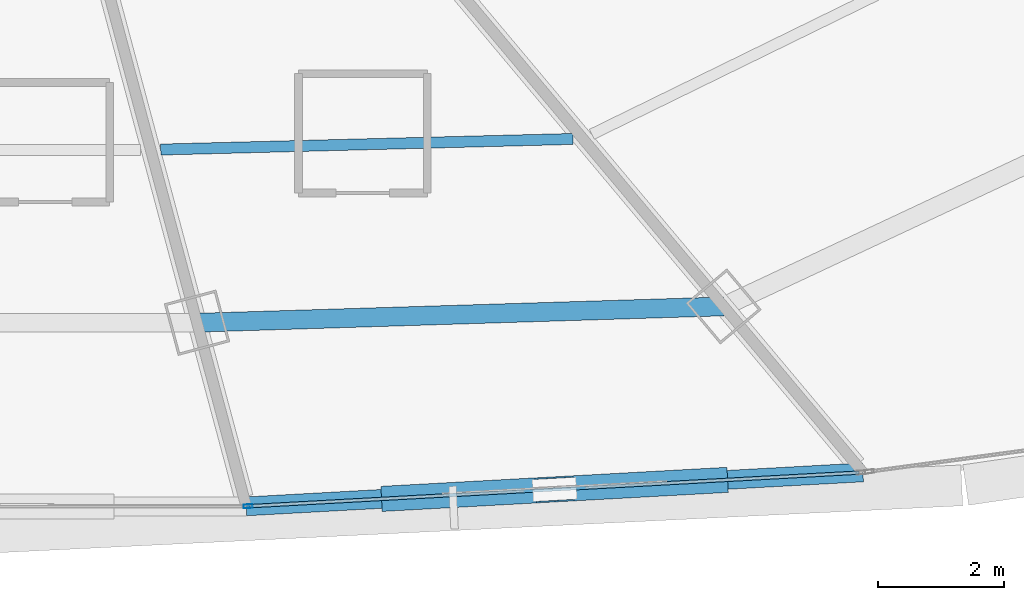
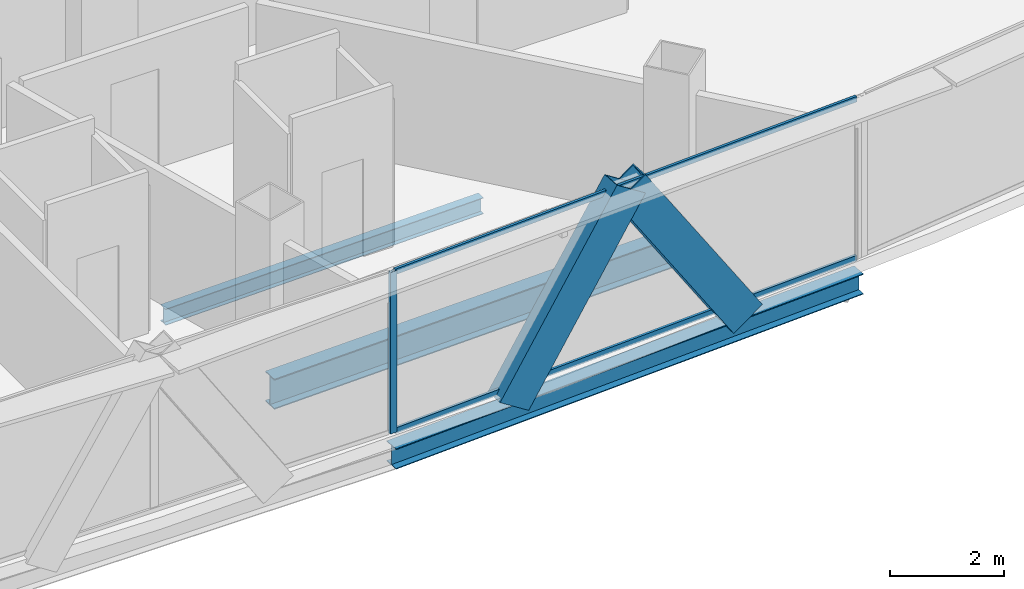
# One storey, part 10 of 34: 5 members, 3 beams, 1 element without a shape of its own.
"""IFC4 building model written with IfcOpenShell, lengths in metres."""

import ifcopenshell
import ifcopenshell.guid

model = None  # the IFC model being written
_history = None  # IfcOwnerHistory: only IFC2X3 demands one
_inside = {}  # id of a spatial element -> (the spatial element, [elements in it])
_under = {}  # id of a project, library or spatial element -> (it, [spatial elements below it])
_declared = {}  # id of a project -> (the project, [libraries it declares])
_typed = {}  # id of a type object -> (the type object, [elements of that type])
_made_of = {}  # id of a material, layer set ... -> (it, [elements and type objects made of it])


def new_model(schema):
    """Start an empty IFC model of exactly this schema.

    Asked for "IFC4X3", IfcOpenShell would pick the latest addendum, in which some entities
    have other attributes; the version numbers below select the first issue.
    IFC2X3 requires an IfcOwnerHistory on every rooted entity: one is made here for all.
    """
    global model, _history
    if schema == "IFC4X3":
        model = ifcopenshell.file(schema_version=(4, 3, 0, 0))
    else:
        model = ifcopenshell.file(schema=schema)
    _inside.clear()
    _under.clear()
    _declared.clear()
    _typed.clear()
    _made_of.clear()
    _history = None
    if model.schema == "IFC2X3":
        org = make("IfcOrganization", Name="unknown")
        user = make(
            "IfcPersonAndOrganization",
            ThePerson=make("IfcPerson", FamilyName="unknown"),
            TheOrganization=org,
        )
        app = make(
            "IfcApplication",
            ApplicationDeveloper=org,
            Version="unknown",
            ApplicationFullName="unknown",
            ApplicationIdentifier="unknown",
        )
        _history = make(
            "IfcOwnerHistory",
            OwningUser=user,
            OwningApplication=app,
            ChangeAction="ADDED",
            CreationDate=0,
        )
    return model


def make(cls, **values):
    """One entity of the class cls with the attributes given. An attribute that is None is left unset."""
    return model.create_entity(
        cls, **{name: value for name, value in values.items() if value is not None}
    )


def rooted(cls, **values):
    """An entity with a GlobalId (a new one), such as an element, a storey or a relation."""
    return make(cls, GlobalId=ifcopenshell.guid.new(), OwnerHistory=_history, **values)


def si_unit(unit_type, name, prefix=None):
    """IfcSIUnit, for example si_unit("LENGTHUNIT", "METRE", prefix="MILLI")."""
    return make("IfcSIUnit", UnitType=unit_type, Prefix=prefix, Name=name)


def assignment(units):
    """IfcUnitAssignment: the units of a project."""
    return None if units is None else make("IfcUnitAssignment", Units=units)


def point(xyz):
    """IfcCartesianPoint."""
    return None if xyz is None else make("IfcCartesianPoint", Coordinates=xyz)


def direction(xyz):
    """IfcDirection."""
    return None if xyz is None else make("IfcDirection", DirectionRatios=xyz)


def frame(location, z_axis=None, x_axis=None):
    """IfcAxis2Placement3D, a coordinate frame: its origin and axes. An axis left out is left unset."""
    return make(
        "IfcAxis2Placement3D",
        Location=point(location),
        Axis=direction(z_axis),
        RefDirection=direction(x_axis),
    )


def frame_2d(location, x_axis=None):
    """IfcAxis2Placement2D, a coordinate frame in the plane: its origin and x axis."""
    return make(
        "IfcAxis2Placement2D", Location=point(location), RefDirection=direction(x_axis)
    )


def origin():
    """The frame at (0, 0, 0) with its axes left unset."""
    return frame((0.0, 0.0, 0.0))


def origin_2d():
    """The frame at (0, 0) in the plane with its x axis left unset."""
    return frame_2d((0.0, 0.0))


def place(relative_to, where):
    """IfcLocalPlacement: puts the frame where relative to a parent placement (None: the world)."""
    return make(
        "IfcLocalPlacement", PlacementRelTo=relative_to, RelativePlacement=where
    )


def context(
    kind, dimensions, precision=None, world=None, true_north=None, identifier=None
):
    """IfcGeometricRepresentationContext, for example the 3D "Model" context."""
    return make(
        "IfcGeometricRepresentationContext",
        ContextIdentifier=identifier,
        ContextType=kind,
        CoordinateSpaceDimension=dimensions,
        Precision=precision,
        WorldCoordinateSystem=world,
        TrueNorth=true_north,
    )


def subcontext(parent, identifier, kind, view, scale=None):
    """IfcGeometricRepresentationSubContext, for example "Body" below "Model"."""
    return make(
        "IfcGeometricRepresentationSubContext",
        ContextIdentifier=identifier,
        ContextType=kind,
        ParentContext=parent,
        TargetScale=scale,
        TargetView=view,
    )


def project(units=None, contexts=None):
    """IfcProject with its units and contexts."""
    return rooted(
        "IfcProject",
        Name="project",
        RepresentationContexts=contexts,
        UnitsInContext=assignment(units),
    )


def spatial(cls, under=None, at=None, **own):
    """A site, building, storey or space (cls), placed at a placement, below another one or the project."""
    s = rooted(cls, ObjectPlacement=at, **own)
    if under is not None:
        _under.setdefault(under.id(), (under, []))[1].append(s)
    return s


def profile(cls, at=None, kind="AREA", **sizes):
    """A parametric profile (cls). Its sizes go by their IFC names, for example OverallWidth=200.0."""
    return make(cls, ProfileType=kind, Position=at, **sizes)


def hollow_rectangle(**sizes):
    """IfcRectangleHollowProfileDef."""
    return profile("IfcRectangleHollowProfileDef", **sizes)


def i_section(**sizes):
    """IfcIShapeProfileDef."""
    return profile("IfcIShapeProfileDef", **sizes)


def extrude(swept, where, along, depth):
    """IfcExtrudedAreaSolid: the profile swept, set in the frame where, extruded along a direction by depth."""
    return make(
        "IfcExtrudedAreaSolid",
        SweptArea=swept,
        Position=where,
        ExtrudedDirection=direction(along),
        Depth=depth,
    )


def shape(context_of_items, identifier, shape_type, items):
    """IfcShapeRepresentation: the items that make up one representation, for example the "Body"."""
    return make(
        "IfcShapeRepresentation",
        ContextOfItems=context_of_items,
        RepresentationIdentifier=identifier,
        RepresentationType=shape_type,
        Items=items,
    )


def source(mapping_origin, context_of_items, identifier, shape_type, items):
    """IfcRepresentationMap: a shape defined once, which mapped items show again and again."""
    return make(
        "IfcRepresentationMap",
        MappingOrigin=mapping_origin,
        MappedRepresentation=shape(context_of_items, identifier, shape_type, items),
    )


def transform(
    local_origin,
    x_axis=None,
    y_axis=None,
    z_axis=None,
    scale=None,
    scale2=None,
    scale3=None,
    uniform=True,
):
    """IfcCartesianTransformationOperator3D, or its non-uniform kind. x_axis, y_axis, z_axis: its Axis1, 2, 3."""
    if uniform:
        return make(
            "IfcCartesianTransformationOperator3D",
            Axis1=direction(x_axis),
            Axis2=direction(y_axis),
            LocalOrigin=point(local_origin),
            Scale=scale,
            Axis3=direction(z_axis),
        )
    return make(
        "IfcCartesianTransformationOperator3DnonUniform",
        Axis1=direction(x_axis),
        Axis2=direction(y_axis),
        LocalOrigin=point(local_origin),
        Scale=scale,
        Axis3=direction(z_axis),
        Scale2=scale2,
        Scale3=scale3,
    )


def mapped(mapping_source, mapping_target):
    """IfcMappedItem: shows the shape of a source again, moved by a transform."""
    return make(
        "IfcMappedItem", MappingSource=mapping_source, MappingTarget=mapping_target
    )


def material(Name=None, Category=None):
    """IfcMaterial."""
    return make("IfcMaterial", Name=Name, Category=Category)


def layer(
    of_material, thickness, ventilated=None, Name=None, Category=None, Priority=None
):
    """IfcMaterialLayer: one layer of a wall or slab, of a material (None: an air gap)."""
    return make(
        "IfcMaterialLayer",
        Material=of_material,
        LayerThickness=thickness,
        IsVentilated=ventilated,
        Name=Name,
        Category=Category,
        Priority=Priority,
    )


def layer_set(layers, Name=None):
    """IfcMaterialLayerSet."""
    return make("IfcMaterialLayerSet", MaterialLayers=layers, LayerSetName=Name)


def material_profile(
    of_material, cross_section, Name=None, Category=None, Priority=None
):
    """IfcMaterialProfile: a cross section and its material."""
    return make(
        "IfcMaterialProfile",
        Name=Name,
        Material=of_material,
        Profile=cross_section,
        Priority=Priority,
        Category=Category,
    )


def profile_set(profiles, Name=None, composite=None):
    """IfcMaterialProfileSet."""
    return make(
        "IfcMaterialProfileSet",
        Name=Name,
        MaterialProfiles=profiles,
        CompositeProfile=composite,
    )


def made_of(thing, what):
    """Note that an element or type object is made of a material, layer set ...; save() writes the relation."""
    if what is not None:
        _made_of.setdefault(what.id(), (what, []))[1].append(thing)
    return thing


def type_object(cls, material=None, **own):
    """A type object (cls), such as IfcWallType, which elements share."""
    return made_of(rooted(cls, **own), material)


def element(
    cls,
    number,
    at=None,
    inside=None,
    cuts=None,
    type_object=None,
    material=None,
    context=None,
    identifier="Body",
    shape_type=None,
    held_by="IfcProductDefinitionShape",
    body=None,
    shapes=None,
    **own,
):
    """One element of the class cls, such as IfcWall. Its Tag is "e" and its number.

    at: its placement. inside: the storey or other place that contains it. cuts: it is an
    opening in that element (IfcRelVoidsElement). A single representation is given by context,
    identifier, shape_type and body (its items); several are given by shapes. held_by: the class
    of the entity that holds the representations. save() writes the other relations.
    """
    e = rooted(cls, Tag="e%d" % number, ObjectPlacement=at, **own)
    if body is not None:
        shapes = [shape(context, identifier, shape_type, body)]
    if shapes is not None:
        e.Representation = make(held_by, Representations=shapes)
    if inside is not None:
        _inside.setdefault(inside.id(), (inside, []))[1].append(e)
    if cuts is not None:
        rooted(
            "IfcRelVoidsElement", RelatingBuildingElement=cuts, RelatedOpeningElement=e
        )
    if type_object is not None:
        _typed.setdefault(type_object.id(), (type_object, []))[1].append(e)
    return made_of(e, material)


def aggregate(whole, parts):
    """IfcRelAggregates: a whole, such as a stair, and the parts it consists of."""
    return rooted("IfcRelAggregates", RelatingObject=whole, RelatedObjects=parts)


def save(model, path):
    """Write the relations noted so far, then the file.

    IfcRelAggregates (storeys below a building ...), IfcRelContainedInSpatialStructure (elements
    in a storey), IfcRelDefinesByType, IfcRelAssociatesMaterial and IfcRelDeclares: one each for
    every whole, place, type object, material and project.
    """
    for whole, parts in _under.values():
        aggregate(whole, parts)
    for where, things in _inside.values():
        rooted(
            "IfcRelContainedInSpatialStructure",
            RelatedElements=things,
            RelatingStructure=where,
        )
    for kind, things in _typed.values():
        rooted("IfcRelDefinesByType", RelatedObjects=things, RelatingType=kind)
    for what, things in _made_of.values():
        rooted("IfcRelAssociatesMaterial", RelatedObjects=things, RelatingMaterial=what)
    for by, libraries in _declared.values():
        rooted("IfcRelDeclares", RelatingContext=by, RelatedDefinitions=libraries)
    model.write(path)


model = new_model("IFC4")

# Units and contexts
model_context = context("Model", 3, precision=1e-05, world=origin(), true_north=direction((0.0, 1.0)))
body_context = subcontext(model_context, "Body", "Model", "MODEL_VIEW")
ifc_project = project(units=[si_unit("LENGTHUNIT", "METRE"), si_unit("AREAUNIT", "SQUARE_METRE"), si_unit("VOLUMEUNIT", "CUBIC_METRE"), si_unit("PLANEANGLEUNIT", "RADIAN"), si_unit("MASSUNIT", "GRAM", prefix="KILO"), si_unit("THERMODYNAMICTEMPERATUREUNIT", "KELVIN"), si_unit("POWERUNIT", "WATT")], contexts=[model_context])

# Site, building, storey
site_placement = place(None, origin())
site = spatial("IfcSite", under=ifc_project, at=site_placement, CompositionType="ELEMENT")
building_placement = place(site_placement, origin())
building = spatial("IfcBuilding", under=site, at=building_placement, Name="Yunzhuo Pagoda Commons", CompositionType="ELEMENT")
storey_placement = place(building_placement, frame((0.0, 0.0, 229.610107421875)))
storey = spatial("IfcBuildingStorey", under=building, at=storey_placement, Name="L57", CompositionType="ELEMENT", Elevation=229.610107421875)

# Beams
ifc_material_1 = material(Name="Structural steel Q355B", Category="steel")
ifc_material_profile_1 = material_profile(ifc_material_1, i_section(OverallWidth=0.300048828125, OverallDepth=0.43994140625, WebThickness=0.010986328125, FlangeThickness=0.01806640625, at=origin_2d()), Name="Structural steel Q355B")
ifc_profile_set_1 = profile_set([ifc_material_profile_1], Name="Structural steel Q355B")
beam_type_1 = type_object("IfcBeamType", Name="B-SP2 Beam HM 440x300x11x18", PredefinedType="BEAM", material=ifc_profile_set_1)
shared_shape_1 = source(origin(), body_context, "Body", "SweptSolid", [
    extrude(i_section(OverallWidth=0.300048828125, OverallDepth=0.43994140625, WebThickness=0.010986328125, FlangeThickness=0.01806640625, at=origin_2d()), origin(), (0.0, 0.0, 1.0), 9.823486328125),
])
beam_1_placement = place(storey_placement, frame((52.814208984375, 15.7333984375, -0.480224609375), z_axis=(0.998486395032, 0.054999263048, 0.0), x_axis=(-0.054999263048, 0.998486395032, 0.0)))
element("IfcBeam", 1, at=beam_1_placement, inside=storey, type_object=beam_type_1, Name="L57 facade edge spandrel beam F1.3", PredefinedType="BEAM", context=body_context, shape_type="MappedRepresentation", body=[
    mapped(shared_shape_1, transform((0.0, 0.0, 0.0), scale=1.0)),
])
ifc_material_profile_2 = material_profile(ifc_material_1, i_section(OverallWidth=0.300048828125, OverallDepth=0.64990234375, WebThickness=0.012939453125, FlangeThickness=0.02197265625, at=origin_2d()), Name="Structural steel Q355B")
ifc_profile_set_2 = profile_set([ifc_material_profile_2], Name="Structural steel Q355B")
beam_type_2 = type_object("IfcBeamType", Name="B-RG2 Beam HN 650x300x13x22", PredefinedType="BEAM", material=ifc_profile_set_2)
shared_shape_2 = source(origin(), body_context, "Body", "SweptSolid", [
    extrude(i_section(OverallWidth=0.300048828125, OverallDepth=0.64990234375, WebThickness=0.012939453125, FlangeThickness=0.02197265625, at=origin_2d()), origin(), (0.0, 0.0, 1.0), 8.37939453125),
])
beam_2_placement = place(storey_placement, frame((52.031494140625, 18.654052734375, -0.585205078125), z_axis=(0.999519382133, 0.031000076447, 0.0), x_axis=(-0.031000076447, 0.999519382133, 0.0)))
element("IfcBeam", 2, at=beam_2_placement, inside=storey, type_object=beam_type_2, Name="L57 column-ring beam 3", PredefinedType="BEAM", context=body_context, shape_type="MappedRepresentation", body=[
    mapped(shared_shape_2, transform((0.0, 0.0, 0.0), scale=1.0)),
])
ifc_material_profile_3 = material_profile(ifc_material_1, i_section(OverallWidth=0.175048828125, OverallDepth=0.35009765625, WebThickness=0.007080078125, FlangeThickness=0.010986328125, at=origin_2d()), Name="Structural steel Q355B")
ifc_profile_set_3 = profile_set([ifc_material_profile_3], Name="Structural steel Q355B")
beam_type_3 = type_object("IfcBeamType", Name="B-JS2 Joist HN 350x175x7x11", PredefinedType="JOIST", material=ifc_profile_set_3)
shared_shape_3 = source(origin(), body_context, "Body", "SweptSolid", [
    extrude(i_section(OverallWidth=0.175048828125, OverallDepth=0.35009765625, WebThickness=0.007080078125, FlangeThickness=0.010986328125, at=origin_2d()), origin(), (0.0, 0.0, 1.0), 6.558349609375),
])
beam_3_placement = place(storey_placement, frame((51.45361328125, 21.40869140625, -0.43505859375), z_axis=(0.99966910323, 0.025723220017, 0.0), x_axis=(-0.025723220017, 0.99966910323, 0.0)))
element("IfcBeam", 3, at=beam_3_placement, inside=storey, type_object=beam_type_3, Name="L57 composite ring joist 2.3", PredefinedType="JOIST", context=body_context, shape_type="MappedRepresentation", body=[
    mapped(shared_shape_3, transform((0.0, 0.0, 0.0), scale=1.0)),
])

# Members
ifc_material_profile_4 = material_profile(ifc_material_1, hollow_rectangle(XDim=0.39990234375, YDim=0.719970703125, WallThickness=0.02392578125, at=origin_2d()), Name="Structural steel Q355B")
ifc_profile_set_4 = profile_set([ifc_material_profile_4], Name="Structural steel Q355B")
member_type_1 = type_object("IfcMemberType", Name="M-DL2 Brace BOX 720x400x24", PredefinedType="BRACE", material=ifc_profile_set_4)
shared_shape_4 = source(origin(), body_context, "Body", "SweptSolid", [
    extrude(hollow_rectangle(XDim=0.39990234375, YDim=0.719970703125, WallThickness=0.02392578125, at=origin_2d()), origin(), (0.0, 0.0, 1.0), 4.4658203125),
])
for number, where, z_axis, x_axis, name in (
    (4, (55.266357421875, 15.868408203125, -0.260009765625), (0.549086128168, 0.030231444532, 0.835218823791), (-0.054974485367, 0.998487759544, 0.0), "L57 facade diamond brace F1.3L"),
    (5, (60.170654296875, 16.138427734375, -0.260009765625), (-0.549086128168, -0.030231444532, 0.835218823791), (0.054974485367, -0.998487759544, 0.0), "L57 facade diamond brace F1.3R"),
):
    element("IfcMember", number, at=place(storey_placement, frame(where, z_axis=z_axis, x_axis=x_axis)), inside=storey, type_object=member_type_1, Name=name, PredefinedType="BRACE", context=body_context, shape_type="MappedRepresentation", body=[
        mapped(shared_shape_4, transform((0.0, 0.0, 0.0), scale=1.0)),
    ])

# Curtain wall, members
ifc_material_2 = material(Name="Anodized aluminium 6063-T6", Category="aluminium")
ifc_layer = layer(ifc_material_2, 0.139892578125)
ifc_layer_set = layer_set([ifc_layer], Name="Anodized aluminium 6063-T6")
curtain_wall_type = type_object("IfcCurtainWallType", Name="CW-HI High-Zone Ribbon Curtain Wall", PredefinedType="NOTDEFINED", material=ifc_layer_set)
curtain_wall_placement = place(storey_placement, origin())
curtain_wall = element("IfcCurtainWall", 6, at=curtain_wall_placement, inside=storey, type_object=curtain_wall_type, Name="L57 curtain wall CW-L57-F1B4", PredefinedType="NOTDEFINED")
ifc_material_profile_5 = material_profile(ifc_material_2, hollow_rectangle(XDim=0.06005859375, YDim=0.139892578125, WallThickness=0.00341796875, at=origin_2d()), Name="Anodized aluminium 6063-T6")
ifc_profile_set_5 = profile_set([ifc_material_profile_5], Name="Anodized aluminium 6063-T6")
member_type_2 = type_object("IfcMemberType", Name="CW-HI-M Mullion RHS 140x60x3.5", PredefinedType="MULLION", material=ifc_profile_set_5)
shared_shape_5 = source(origin(), body_context, "Body", "SweptSolid", [
    extrude(hollow_rectangle(XDim=0.06005859375, YDim=0.139892578125, WallThickness=0.00341796875, at=origin_2d()), origin(), (0.0, 0.0, 1.0), 3.469970703125),
])
member_1_placement = place(storey_placement, frame((52.84423828125, 15.73486328125, 0.0), z_axis=(0.0, 0.0, 1.0), x_axis=(-0.054981193813, 0.998487390169, 0.0)))
member_1 = element("IfcMember", 7, at=member_1_placement, type_object=member_type_2, Name="CW mullion 1", PredefinedType="MULLION", context=body_context, shape_type="MappedRepresentation", body=[
    mapped(shared_shape_5, transform((0.0, 0.0, 0.0), scale=1.0)),
])
ifc_material_profile_6 = material_profile(ifc_material_2, hollow_rectangle(XDim=0.054931640625, YDim=0.1201171875, WallThickness=0.00341796875, at=origin_2d()), Name="Anodized aluminium 6063-T6")
ifc_profile_set_6 = profile_set([ifc_material_profile_6], Name="Anodized aluminium 6063-T6")
member_type_3 = type_object("IfcMemberType", Name="CW-HI-T Transom RHS 120x55x3.5", PredefinedType="USERDEFINED", material=ifc_profile_set_6)
shared_shape_6 = source(origin(), body_context, "Body", "SweptSolid", [
    extrude(hollow_rectangle(XDim=0.054931640625, YDim=0.1201171875, WallThickness=0.00341796875, at=origin_2d()), origin(), (0.0, 0.0, 1.0), 9.703369140625),
])
member_2_placement = place(storey_placement, frame((52.8740234375, 15.736572265625, 0.02734375), z_axis=(0.998486332061, 0.055000406246, 0.0), x_axis=(-0.055000406246, 0.998486332061, 0.0)))
member_2 = element("IfcMember", 8, at=member_2_placement, type_object=member_type_3, Name="CW transom 1.1", ObjectType="TRANSOM", PredefinedType="USERDEFINED", context=body_context, shape_type="MappedRepresentation", body=[
    mapped(shared_shape_6, transform((0.0, 0.0, 0.0), scale=1.0)),
])
member_3_placement = place(storey_placement, frame((52.8740234375, 15.736572265625, 3.4423828125), z_axis=(0.998486332061, 0.055000406246, 0.0), x_axis=(-0.055000406246, 0.998486332061, 0.0)))
member_3 = element("IfcMember", 9, at=member_3_placement, type_object=member_type_3, Name="CW transom 1.2", ObjectType="TRANSOM", PredefinedType="USERDEFINED", context=body_context, shape_type="MappedRepresentation", body=[
    mapped(shared_shape_6, transform((0.0, 0.0, 0.0), scale=1.0)),
])
aggregate(curtain_wall, [member_1, member_2, member_3])

save(model, "model.ifc")
